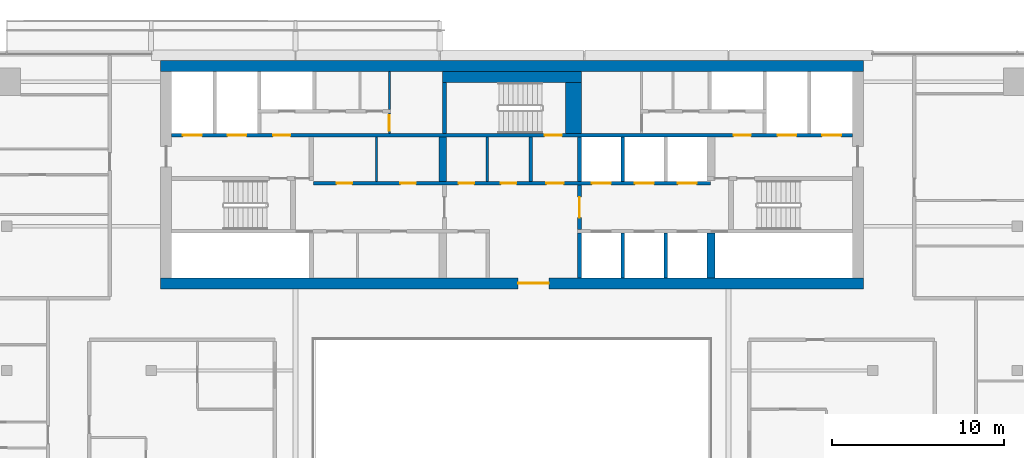
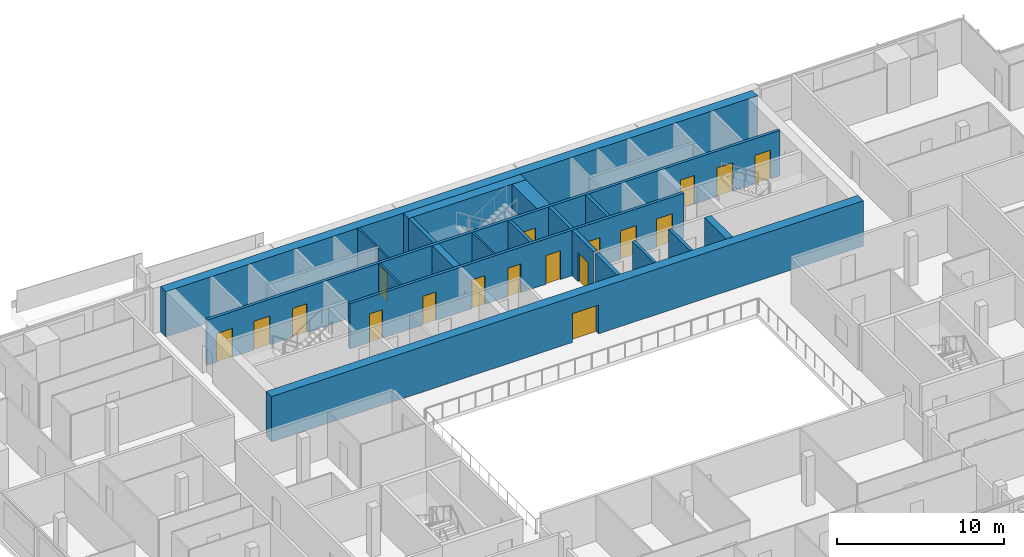
# One storey, part 21 of 27: 20 walls, 18 doors, 18 openings.
"""IFC4 building model written with IfcOpenShell, lengths in metres."""

import ifcopenshell
import ifcopenshell.guid

model = None  # the IFC model being written
_history = None  # IfcOwnerHistory: only IFC2X3 demands one
_inside = {}  # id of a spatial element -> (the spatial element, [elements in it])
_under = {}  # id of a project, library or spatial element -> (it, [spatial elements below it])
_declared = {}  # id of a project -> (the project, [libraries it declares])
_typed = {}  # id of a type object -> (the type object, [elements of that type])
_made_of = {}  # id of a material, layer set ... -> (it, [elements and type objects made of it])


def new_model(schema):
    """Start an empty IFC model of exactly this schema.

    Asked for "IFC4X3", IfcOpenShell would pick the latest addendum, in which some entities
    have other attributes; the version numbers below select the first issue.
    IFC2X3 requires an IfcOwnerHistory on every rooted entity: one is made here for all.
    """
    global model, _history
    if schema == "IFC4X3":
        model = ifcopenshell.file(schema_version=(4, 3, 0, 0))
    else:
        model = ifcopenshell.file(schema=schema)
    _inside.clear()
    _under.clear()
    _declared.clear()
    _typed.clear()
    _made_of.clear()
    _history = None
    if model.schema == "IFC2X3":
        org = make("IfcOrganization", Name="unknown")
        user = make(
            "IfcPersonAndOrganization",
            ThePerson=make("IfcPerson", FamilyName="unknown"),
            TheOrganization=org,
        )
        app = make(
            "IfcApplication",
            ApplicationDeveloper=org,
            Version="unknown",
            ApplicationFullName="unknown",
            ApplicationIdentifier="unknown",
        )
        _history = make(
            "IfcOwnerHistory",
            OwningUser=user,
            OwningApplication=app,
            ChangeAction="ADDED",
            CreationDate=0,
        )
    return model


def make(cls, **values):
    """One entity of the class cls with the attributes given. An attribute that is None is left unset."""
    return model.create_entity(
        cls, **{name: value for name, value in values.items() if value is not None}
    )


def rooted(cls, **values):
    """An entity with a GlobalId (a new one), such as an element, a storey or a relation."""
    return make(cls, GlobalId=ifcopenshell.guid.new(), OwnerHistory=_history, **values)


def si_unit(unit_type, name, prefix=None):
    """IfcSIUnit, for example si_unit("LENGTHUNIT", "METRE", prefix="MILLI")."""
    return make("IfcSIUnit", UnitType=unit_type, Prefix=prefix, Name=name)


def assignment(units):
    """IfcUnitAssignment: the units of a project."""
    return None if units is None else make("IfcUnitAssignment", Units=units)


def point(xyz):
    """IfcCartesianPoint."""
    return None if xyz is None else make("IfcCartesianPoint", Coordinates=xyz)


def direction(xyz):
    """IfcDirection."""
    return None if xyz is None else make("IfcDirection", DirectionRatios=xyz)


def frame(location, z_axis=None, x_axis=None):
    """IfcAxis2Placement3D, a coordinate frame: its origin and axes. An axis left out is left unset."""
    return make(
        "IfcAxis2Placement3D",
        Location=point(location),
        Axis=direction(z_axis),
        RefDirection=direction(x_axis),
    )


def frame_2d(location, x_axis=None):
    """IfcAxis2Placement2D, a coordinate frame in the plane: its origin and x axis."""
    return make(
        "IfcAxis2Placement2D", Location=point(location), RefDirection=direction(x_axis)
    )


def origin():
    """The frame at (0, 0, 0) with its axes left unset."""
    return frame((0.0, 0.0, 0.0))


def place(relative_to, where):
    """IfcLocalPlacement: puts the frame where relative to a parent placement (None: the world)."""
    return make(
        "IfcLocalPlacement", PlacementRelTo=relative_to, RelativePlacement=where
    )


def context(
    kind, dimensions, precision=None, world=None, true_north=None, identifier=None
):
    """IfcGeometricRepresentationContext, for example the 3D "Model" context."""
    return make(
        "IfcGeometricRepresentationContext",
        ContextIdentifier=identifier,
        ContextType=kind,
        CoordinateSpaceDimension=dimensions,
        Precision=precision,
        WorldCoordinateSystem=world,
        TrueNorth=true_north,
    )


def subcontext(parent, identifier, kind, view, scale=None):
    """IfcGeometricRepresentationSubContext, for example "Body" below "Model"."""
    return make(
        "IfcGeometricRepresentationSubContext",
        ContextIdentifier=identifier,
        ContextType=kind,
        ParentContext=parent,
        TargetScale=scale,
        TargetView=view,
    )


def project(units=None, contexts=None):
    """IfcProject with its units and contexts."""
    return rooted(
        "IfcProject",
        Name="project",
        RepresentationContexts=contexts,
        UnitsInContext=assignment(units),
    )


def spatial(cls, under=None, at=None, **own):
    """A site, building, storey or space (cls), placed at a placement, below another one or the project."""
    s = rooted(cls, ObjectPlacement=at, **own)
    if under is not None:
        _under.setdefault(under.id(), (under, []))[1].append(s)
    return s


def profile(cls, at=None, kind="AREA", **sizes):
    """A parametric profile (cls). Its sizes go by their IFC names, for example OverallWidth=200.0."""
    return make(cls, ProfileType=kind, Position=at, **sizes)


def rectangle(**sizes):
    """IfcRectangleProfileDef."""
    return profile("IfcRectangleProfileDef", **sizes)


def extrude(swept, where, along, depth):
    """IfcExtrudedAreaSolid: the profile swept, set in the frame where, extruded along a direction by depth."""
    return make(
        "IfcExtrudedAreaSolid",
        SweptArea=swept,
        Position=where,
        ExtrudedDirection=direction(along),
        Depth=depth,
    )


def shape(context_of_items, identifier, shape_type, items):
    """IfcShapeRepresentation: the items that make up one representation, for example the "Body"."""
    return make(
        "IfcShapeRepresentation",
        ContextOfItems=context_of_items,
        RepresentationIdentifier=identifier,
        RepresentationType=shape_type,
        Items=items,
    )


def material(Name=None, Category=None):
    """IfcMaterial."""
    return make("IfcMaterial", Name=Name, Category=Category)


def layer(
    of_material, thickness, ventilated=None, Name=None, Category=None, Priority=None
):
    """IfcMaterialLayer: one layer of a wall or slab, of a material (None: an air gap)."""
    return make(
        "IfcMaterialLayer",
        Material=of_material,
        LayerThickness=thickness,
        IsVentilated=ventilated,
        Name=Name,
        Category=Category,
        Priority=Priority,
    )


def layer_set(layers, Name=None):
    """IfcMaterialLayerSet."""
    return make("IfcMaterialLayerSet", MaterialLayers=layers, LayerSetName=Name)


def made_of(thing, what):
    """Note that an element or type object is made of a material, layer set ...; save() writes the relation."""
    if what is not None:
        _made_of.setdefault(what.id(), (what, []))[1].append(thing)
    return thing


def type_object(cls, material=None, **own):
    """A type object (cls), such as IfcWallType, which elements share."""
    return made_of(rooted(cls, **own), material)


def element(
    cls,
    number,
    at=None,
    inside=None,
    cuts=None,
    type_object=None,
    material=None,
    context=None,
    identifier="Body",
    shape_type=None,
    held_by="IfcProductDefinitionShape",
    body=None,
    shapes=None,
    **own,
):
    """One element of the class cls, such as IfcWall. Its Tag is "e" and its number.

    at: its placement. inside: the storey or other place that contains it. cuts: it is an
    opening in that element (IfcRelVoidsElement). A single representation is given by context,
    identifier, shape_type and body (its items); several are given by shapes. held_by: the class
    of the entity that holds the representations. save() writes the other relations.
    """
    e = rooted(cls, Tag="e%d" % number, ObjectPlacement=at, **own)
    if body is not None:
        shapes = [shape(context, identifier, shape_type, body)]
    if shapes is not None:
        e.Representation = make(held_by, Representations=shapes)
    if inside is not None:
        _inside.setdefault(inside.id(), (inside, []))[1].append(e)
    if cuts is not None:
        rooted(
            "IfcRelVoidsElement", RelatingBuildingElement=cuts, RelatedOpeningElement=e
        )
    if type_object is not None:
        _typed.setdefault(type_object.id(), (type_object, []))[1].append(e)
    return made_of(e, material)


def fill(opening, filler):
    """IfcRelFillsElement: the door or window that sits in an opening."""
    return rooted(
        "IfcRelFillsElement",
        RelatingOpeningElement=opening,
        RelatedBuildingElement=filler,
    )


def aggregate(whole, parts):
    """IfcRelAggregates: a whole, such as a stair, and the parts it consists of."""
    return rooted("IfcRelAggregates", RelatingObject=whole, RelatedObjects=parts)


def save(model, path):
    """Write the relations noted so far, then the file.

    IfcRelAggregates (storeys below a building ...), IfcRelContainedInSpatialStructure (elements
    in a storey), IfcRelDefinesByType, IfcRelAssociatesMaterial and IfcRelDeclares: one each for
    every whole, place, type object, material and project.
    """
    for whole, parts in _under.values():
        aggregate(whole, parts)
    for where, things in _inside.values():
        rooted(
            "IfcRelContainedInSpatialStructure",
            RelatedElements=things,
            RelatingStructure=where,
        )
    for kind, things in _typed.values():
        rooted("IfcRelDefinesByType", RelatedObjects=things, RelatingType=kind)
    for what, things in _made_of.values():
        rooted("IfcRelAssociatesMaterial", RelatedObjects=things, RelatingMaterial=what)
    for by, libraries in _declared.values():
        rooted("IfcRelDeclares", RelatingContext=by, RelatedDefinitions=libraries)
    model.write(path)


model = new_model("IFC4")

# Units and contexts
model_context = context("Model", 3, precision=1e-05, world=origin(), true_north=direction((0.0, 1.0)))
body_context = subcontext(model_context, "Body", "Model", "MODEL_VIEW")
ifc_project = project(units=[si_unit("LENGTHUNIT", "METRE"), si_unit("AREAUNIT", "SQUARE_METRE"), si_unit("VOLUMEUNIT", "CUBIC_METRE"), si_unit("PLANEANGLEUNIT", "RADIAN"), si_unit("MASSUNIT", "GRAM", prefix="KILO")], contexts=[model_context])

# Site, building, storey
site_placement = place(None, origin())
site = spatial("IfcSite", under=ifc_project, at=site_placement, CompositionType="ELEMENT")
building_placement = place(site_placement, origin())
building = spatial("IfcBuilding", under=site, at=building_placement, Name="Saffron Gate Tower", CompositionType="ELEMENT")
storey_placement = place(building_placement, frame((0.0, 0.0, 234.300048828125)))
storey = spatial("IfcBuildingStorey", under=building, at=storey_placement, Name="L57", CompositionType="ELEMENT", Elevation=234.300048828125)

# Walls
ifc_material_1 = material(Name="Gypsum board partition on steel studs", Category="steel")
ifc_layer_1 = layer(ifc_material_1, 0.199951171875)
ifc_layer_set_1 = layer_set([ifc_layer_1], Name="CW10 Core partition 200")
wall_type_1 = type_object("IfcWallType", Name="CW10 Core partition 200", PredefinedType="PARTITIONING", material=ifc_layer_set_1)
wall_1_placement = place(storey_placement, frame((88.699951171875, 68.0, 0.0), z_axis=(0.0, 0.0, 1.0), x_axis=(0.0, 1.0, 0.0)))
element("IfcWall", 1, at=wall_1_placement, inside=storey, type_object=wall_type_1, Name="Wall CW10-L57-23", PredefinedType="PARTITIONING", context=body_context, shape_type="SweptSolid", body=[
    extrude(rectangle(XDim=2.60009765625, YDim=0.199951171875, at=frame_2d((1.300048828125, 0.0))), origin(), (0.0, 0.0, 1.0), 3.320068359375),
])
ifc_material_2 = material(Name="Concrete C60", Category="concrete")
ifc_layer_2 = layer(ifc_material_2, 0.25)
ifc_layer_set_2 = layer_set([ifc_layer_2], Name="CW14 RC core wall 250 C60")
wall_type_2 = type_object("IfcWallType", Name="CW14 RC core wall 250 C60", PredefinedType="SOLIDWALL", material=ifc_layer_set_2)
wall_2_placement = place(storey_placement, frame((91.52490234375, 62.39990234375, 0.0), z_axis=(0.0, 0.0, 1.0), x_axis=(0.0, 1.0, 0.0)))
element("IfcWall", 2, at=wall_2_placement, inside=storey, type_object=wall_type_2, Name="Wall CW14-L57-9", PredefinedType="SOLIDWALL", context=body_context, shape_type="SweptSolid", body=[
    extrude(rectangle(XDim=2.60009765625, YDim=0.25, at=frame_2d((1.300048828125, 0.0))), origin(), (0.0, 0.0, 1.0), 3.320068359375),
])

# Wall, opening, door
wall_3_placement = place(storey_placement, frame((91.52490234375, 65.199951171875, 0.0), z_axis=(0.0, 0.0, 1.0), x_axis=(0.0, 1.0, 0.0)))
wall_3 = element("IfcWall", 3, at=wall_3_placement, inside=storey, type_object=wall_type_2, Name="Wall CW14-L57-17", PredefinedType="SOLIDWALL", context=body_context, shape_type="SweptSolid", body=[
    extrude(rectangle(XDim=2.60009765625, YDim=0.25, at=frame_2d((1.300048828125, 0.0))), origin(), (0.0, 0.0, 1.0), 3.320068359375),
])
opening_1_placement = place(wall_3_placement, frame((0.699951171875, 0.0, 0.0)))
opening_1 = element("IfcOpeningElement", 4, at=opening_1_placement, cuts=wall_3, Name="Opening CR-01", PredefinedType="OPENING", context=body_context, shape_type="SweptSolid", body=[
    extrude(rectangle(XDim=1.199951171875, YDim=2.10009765625, at=frame_2d((0.60009765625, 1.050048828125))), frame((0.0, 0.135009765625, 0.0), z_axis=(0.0, -1.0, 0.0), x_axis=(1.0, 0.0, 0.0)), (0.0, 0.0, 1.0), 0.27001953125),
])
ifc_material_3 = material(Name="Steel fire door set", Category="steel")
door_type_1 = type_object("IfcDoorType", Name="CD3 Lobby door 1200x2100 EI 120", OperationType="NOTDEFINED", PredefinedType="DOOR", material=ifc_material_3)
door_1_placement = place(opening_1_placement, origin())
door_1 = element("IfcDoor", 5, at=door_1_placement, inside=storey, type_object=door_type_1, Name="DOOR CR-01", OperationType="SINGLE_SWING_RIGHT", OverallHeight=2.10009765625, OverallWidth=1.199951171875, PredefinedType="DOOR", context=body_context, shape_type="SweptSolid", body=[
    extrude(rectangle(XDim=1.199951171875, YDim=2.10009765625, at=frame_2d((0.60009765625, 1.050048828125))), frame((0.0, 0.02490234375, 0.0), z_axis=(0.0, -1.0, 0.0), x_axis=(1.0, 0.0, 0.0)), (0.0, 0.0, 1.0), 0.050048828125),
])
fill(opening_1, door_1)

# Walls
wall_4_placement = place(storey_placement, frame((91.52490234375, 68.0, 0.0), z_axis=(0.0, 0.0, 1.0), x_axis=(0.0, 1.0, 0.0)))
element("IfcWall", 6, at=wall_4_placement, inside=storey, type_object=wall_type_2, Name="Wall CW14-L57-24", PredefinedType="SOLIDWALL", context=body_context, shape_type="SweptSolid", body=[
    extrude(rectangle(XDim=2.60009765625, YDim=0.25, at=frame_2d((1.300048828125, 0.0))), origin(), (0.0, 0.0, 1.0), 3.320068359375),
])
wall_5_placement = place(storey_placement, frame((83.675048828125, 70.800048828125, 0.0), z_axis=(0.0, 0.0, 1.0), x_axis=(0.0, 1.0, 0.0)))
element("IfcWall", 7, at=wall_5_placement, inside=storey, type_object=wall_type_2, Name="Wall CW14-L57-36", PredefinedType="SOLIDWALL", context=body_context, shape_type="SweptSolid", body=[
    extrude(rectangle(XDim=2.949951171875, YDim=0.25, at=frame_2d((1.47509765625, 0.0))), origin(), (0.0, 0.0, 1.0), 3.320068359375),
])
ifc_layer_3 = layer(ifc_material_2, 0.199951171875)
ifc_layer_set_3 = layer_set([ifc_layer_3], Name="CW15 RC core wall 200 C60")
wall_type_3 = type_object("IfcWallType", Name="CW15 RC core wall 200 C60", PredefinedType="SOLIDWALL", material=ifc_layer_set_3)
for number, where, z_axis, x_axis, name in (
    (8, (94.050048828125, 62.39990234375, 0.0), (0.0, 0.0, 1.0), (0.0, 1.0, 0.0), "Wall CW15-L57-10"),
    (9, (96.550048828125, 62.39990234375, 0.0), (0.0, 0.0, 1.0), (0.0, 1.0, 0.0), "Wall CW15-L57-11"),
):
    element("IfcWall", number, at=place(storey_placement, frame(where, z_axis=z_axis, x_axis=x_axis)), inside=storey, type_object=wall_type_3, Name=name, PredefinedType="SOLIDWALL", context=body_context, shape_type="SweptSolid", body=[
        extrude(rectangle(XDim=2.60009765625, YDim=0.199951171875, at=frame_2d((1.300048828125, 0.0))), origin(), (0.0, 0.0, 1.0), 3.320068359375),
    ])

# Wall, openings, doors
wall_6_placement = place(storey_placement, frame((76.050048828125, 67.89990234375, 0.0), z_axis=(0.0, 0.0, 1.0), x_axis=(1.0, 0.0, 0.0)))
wall_6 = element("IfcWall", 10, at=wall_6_placement, inside=storey, type_object=wall_type_3, Name="Wall CW15-L57-19", PredefinedType="SOLIDWALL", context=body_context, shape_type="SweptSolid", body=[
    extrude(rectangle(XDim=23.099853515625, YDim=0.199951171875, at=frame_2d((11.5498046875, 0.0))), origin(), (0.0, 0.0, 1.0), 3.320068359375),
])
opening_2_placement = place(wall_6_placement, frame((1.35009765625, 0.0, 0.0)))
opening_2 = element("IfcOpeningElement", 11, at=opening_2_placement, cuts=wall_6, Name="Opening CR-61", PredefinedType="OPENING", context=body_context, shape_type="SweptSolid", body=[
    extrude(rectangle(XDim=0.89990234375, YDim=2.10009765625, at=frame_2d((0.449951171875, 1.050048828125))), frame((0.0, 0.10986328125, 0.0), z_axis=(0.0, -1.0, 0.0), x_axis=(1.0, 0.0, 0.0)), (0.0, 0.0, 1.0), 0.219970703125),
])
opening_3_placement = place(wall_6_placement, frame((5.06005859375, 0.0, 0.0)))
opening_3 = element("IfcOpeningElement", 12, at=opening_3_placement, cuts=wall_6, Name="Opening CR-62", PredefinedType="OPENING", context=body_context, shape_type="SweptSolid", body=[
    extrude(rectangle(XDim=0.89990234375, YDim=2.10009765625, at=frame_2d((0.449951171875, 1.050048828125))), frame((0.0, 0.10986328125, 0.0), z_axis=(0.0, -1.0, 0.0), x_axis=(1.0, 0.0, 0.0)), (0.0, 0.0, 1.0), 0.219970703125),
])
opening_4_placement = place(wall_6_placement, frame((8.449951171875, 0.0, 0.0)))
opening_4 = element("IfcOpeningElement", 13, at=opening_4_placement, cuts=wall_6, Name="Opening CR-67", PredefinedType="OPENING", context=body_context, shape_type="SweptSolid", body=[
    extrude(rectangle(XDim=0.89990234375, YDim=2.10009765625, at=frame_2d((0.449951171875, 1.050048828125))), frame((0.0, 0.10986328125, 0.0), z_axis=(0.0, -1.0, 0.0), x_axis=(1.0, 0.0, 0.0)), (0.0, 0.0, 1.0), 0.219970703125),
])
opening_5_placement = place(wall_6_placement, frame((10.909912109375, 0.0, 0.0)))
opening_5 = element("IfcOpeningElement", 14, at=opening_5_placement, cuts=wall_6, Name="Opening CR-68", PredefinedType="OPENING", context=body_context, shape_type="SweptSolid", body=[
    extrude(rectangle(XDim=0.89990234375, YDim=2.10009765625, at=frame_2d((0.449951171875, 1.050048828125))), frame((0.0, 0.10986328125, 0.0), z_axis=(0.0, -1.0, 0.0), x_axis=(1.0, 0.0, 0.0)), (0.0, 0.0, 1.0), 0.219970703125),
])
opening_6_placement = place(wall_6_placement, frame((13.550048828125, 0.0, 0.0)))
opening_6 = element("IfcOpeningElement", 15, at=opening_6_placement, cuts=wall_6, Name="Opening CR-02", PredefinedType="OPENING", context=body_context, shape_type="SweptSolid", body=[
    extrude(rectangle(XDim=1.0, YDim=2.10009765625, at=frame_2d((0.5, 1.050048828125))), frame((0.0, 0.10986328125, 0.0), z_axis=(0.0, -1.0, 0.0), x_axis=(1.0, 0.0, 0.0)), (0.0, 0.0, 1.0), 0.219970703125),
])
opening_7_placement = place(wall_6_placement, frame((16.199951171875, 0.0, 0.0)))
opening_7 = element("IfcOpeningElement", 16, at=opening_7_placement, cuts=wall_6, Name="Opening LD-HR4", PredefinedType="OPENING", context=body_context, shape_type="SweptSolid", body=[
    extrude(rectangle(XDim=1.10009765625, YDim=2.10009765625, at=frame_2d((0.550048828125, 1.050048828125))), frame((0.0, 0.10986328125, 0.0), z_axis=(0.0, -1.0, 0.0), x_axis=(1.0, 0.0, 0.0)), (0.0, 0.0, 1.0), 0.219970703125),
])
opening_8_placement = place(wall_6_placement, frame((18.699951171875, 0.0, 0.0)))
opening_8 = element("IfcOpeningElement", 17, at=opening_8_placement, cuts=wall_6, Name="Opening LD-HR5", PredefinedType="OPENING", context=body_context, shape_type="SweptSolid", body=[
    extrude(rectangle(XDim=1.10009765625, YDim=2.10009765625, at=frame_2d((0.550048828125, 1.050048828125))), frame((0.0, 0.10986328125, 0.0), z_axis=(0.0, -1.0, 0.0), x_axis=(1.0, 0.0, 0.0)), (0.0, 0.0, 1.0), 0.219970703125),
])
opening_9_placement = place(wall_6_placement, frame((21.199951171875, 0.0, 0.0)))
opening_9 = element("IfcOpeningElement", 18, at=opening_9_placement, cuts=wall_6, Name="Opening LD-HR6", PredefinedType="OPENING", context=body_context, shape_type="SweptSolid", body=[
    extrude(rectangle(XDim=1.10009765625, YDim=2.10009765625, at=frame_2d((0.550048828125, 1.050048828125))), frame((0.0, 0.10986328125, 0.0), z_axis=(0.0, -1.0, 0.0), x_axis=(1.0, 0.0, 0.0)), (0.0, 0.0, 1.0), 0.219970703125),
])
door_type_2 = type_object("IfcDoorType", Name="CD4 Lobby door 1000x2100 EI 120", OperationType="NOTDEFINED", PredefinedType="DOOR", material=ifc_material_3)
door_2_placement = place(opening_6_placement, origin())
door_2 = element("IfcDoor", 19, at=door_2_placement, inside=storey, type_object=door_type_2, Name="DOOR CR-02", OperationType="SINGLE_SWING_LEFT", OverallHeight=2.10009765625, OverallWidth=1.0, PredefinedType="DOOR", context=body_context, shape_type="SweptSolid", body=[
    extrude(rectangle(XDim=1.0, YDim=2.10009765625, at=frame_2d((0.5, 1.050048828125))), frame((0.0, 0.02490234375, 0.0), z_axis=(0.0, -1.0, 0.0), x_axis=(1.0, 0.0, 0.0)), (0.0, 0.0, 1.0), 0.050048828125),
])
fill(opening_6, door_2)
door_type_3 = type_object("IfcDoorType", Name="CD9 Room door 900x2100 EI 60", OperationType="NOTDEFINED", PredefinedType="DOOR", material=ifc_material_3)
door_3_placement = place(opening_2_placement, origin())
door_3 = element("IfcDoor", 20, at=door_3_placement, inside=storey, type_object=door_type_3, Name="DOOR CR-61", OperationType="SINGLE_SWING_LEFT", OverallHeight=2.10009765625, OverallWidth=0.89990234375, PredefinedType="DOOR", context=body_context, shape_type="SweptSolid", body=[
    extrude(rectangle(XDim=0.89990234375, YDim=2.10009765625, at=frame_2d((0.449951171875, 1.050048828125))), frame((0.0, 0.02490234375, 0.0), z_axis=(0.0, -1.0, 0.0), x_axis=(1.0, 0.0, 0.0)), (0.0, 0.0, 1.0), 0.050048828125),
])
fill(opening_2, door_3)
door_4_placement = place(opening_3_placement, origin())
door_4 = element("IfcDoor", 21, at=door_4_placement, inside=storey, type_object=door_type_3, Name="DOOR CR-62", OperationType="SINGLE_SWING_LEFT", OverallHeight=2.10009765625, OverallWidth=0.89990234375, PredefinedType="DOOR", context=body_context, shape_type="SweptSolid", body=[
    extrude(rectangle(XDim=0.89990234375, YDim=2.10009765625, at=frame_2d((0.449951171875, 1.050048828125))), frame((0.0, 0.02490234375, 0.0), z_axis=(0.0, -1.0, 0.0), x_axis=(1.0, 0.0, 0.0)), (0.0, 0.0, 1.0), 0.050048828125),
])
fill(opening_3, door_4)
door_5_placement = place(opening_4_placement, origin())
door_5 = element("IfcDoor", 22, at=door_5_placement, inside=storey, type_object=door_type_3, Name="DOOR CR-67", OperationType="SINGLE_SWING_LEFT", OverallHeight=2.10009765625, OverallWidth=0.89990234375, PredefinedType="DOOR", context=body_context, shape_type="SweptSolid", body=[
    extrude(rectangle(XDim=0.89990234375, YDim=2.10009765625, at=frame_2d((0.449951171875, 1.050048828125))), frame((0.0, 0.02490234375, 0.0), z_axis=(0.0, -1.0, 0.0), x_axis=(1.0, 0.0, 0.0)), (0.0, 0.0, 1.0), 0.050048828125),
])
fill(opening_4, door_5)
door_6_placement = place(opening_5_placement, origin())
door_6 = element("IfcDoor", 23, at=door_6_placement, inside=storey, type_object=door_type_3, Name="DOOR CR-68", OperationType="SINGLE_SWING_LEFT", OverallHeight=2.10009765625, OverallWidth=0.89990234375, PredefinedType="DOOR", context=body_context, shape_type="SweptSolid", body=[
    extrude(rectangle(XDim=0.89990234375, YDim=2.10009765625, at=frame_2d((0.449951171875, 1.050048828125))), frame((0.0, 0.02490234375, 0.0), z_axis=(0.0, -1.0, 0.0), x_axis=(1.0, 0.0, 0.0)), (0.0, 0.0, 1.0), 0.050048828125),
])
fill(opening_5, door_6)
ifc_material_4 = material(Name="Stainless steel landing door", Category="steel")
door_type_4 = type_object("IfcDoorType", Name="LD Lift landing door 1100x2100 EI 120", OperationType="SLIDING_TO_LEFT", PredefinedType="DOOR", material=ifc_material_4)
door_7_placement = place(opening_7_placement, origin())
door_7 = element("IfcDoor", 24, at=door_7_placement, inside=storey, type_object=door_type_4, Name="LANDING DOOR LD-HR4", OperationType="SLIDING_TO_RIGHT", OverallHeight=2.10009765625, OverallWidth=1.10009765625, PredefinedType="DOOR", context=body_context, shape_type="SweptSolid", body=[
    extrude(rectangle(XDim=1.10009765625, YDim=2.10009765625, at=frame_2d((0.550048828125, 1.050048828125))), frame((0.0, 0.02490234375, 0.0), z_axis=(0.0, -1.0, 0.0), x_axis=(1.0, 0.0, 0.0)), (0.0, 0.0, 1.0), 0.050048828125),
])
fill(opening_7, door_7)
door_8_placement = place(opening_8_placement, origin())
door_8 = element("IfcDoor", 25, at=door_8_placement, inside=storey, type_object=door_type_4, Name="LANDING DOOR LD-HR5", OperationType="SLIDING_TO_RIGHT", OverallHeight=2.10009765625, OverallWidth=1.10009765625, PredefinedType="DOOR", context=body_context, shape_type="SweptSolid", body=[
    extrude(rectangle(XDim=1.10009765625, YDim=2.10009765625, at=frame_2d((0.550048828125, 1.050048828125))), frame((0.0, 0.02490234375, 0.0), z_axis=(0.0, -1.0, 0.0), x_axis=(1.0, 0.0, 0.0)), (0.0, 0.0, 1.0), 0.050048828125),
])
fill(opening_8, door_8)
door_9_placement = place(opening_9_placement, origin())
door_9 = element("IfcDoor", 26, at=door_9_placement, inside=storey, type_object=door_type_4, Name="LANDING DOOR LD-HR6", OperationType="SLIDING_TO_RIGHT", OverallHeight=2.10009765625, OverallWidth=1.10009765625, PredefinedType="DOOR", context=body_context, shape_type="SweptSolid", body=[
    extrude(rectangle(XDim=1.10009765625, YDim=2.10009765625, at=frame_2d((0.550048828125, 1.050048828125))), frame((0.0, 0.02490234375, 0.0), z_axis=(0.0, -1.0, 0.0), x_axis=(1.0, 0.0, 0.0)), (0.0, 0.0, 1.0), 0.050048828125),
])
fill(opening_9, door_9)

# Wall
wall_7_placement = place(storey_placement, frame((94.050048828125, 68.0, 0.0), z_axis=(0.0, 0.0, 1.0), x_axis=(0.0, 1.0, 0.0)))
element("IfcWall", 27, at=wall_7_placement, inside=storey, type_object=wall_type_3, Name="Wall CW15-L57-25", PredefinedType="SOLIDWALL", context=body_context, shape_type="SweptSolid", body=[
    extrude(rectangle(XDim=2.60009765625, YDim=0.199951171875, at=frame_2d((1.300048828125, 0.0))), origin(), (0.0, 0.0, 1.0), 3.320068359375),
])

# Wall, openings, doors
wall_8_placement = place(storey_placement, frame((67.800048828125, 70.699951171875, 0.0), z_axis=(0.0, 0.0, 1.0), x_axis=(1.0, 0.0, 0.0)))
wall_8 = element("IfcWall", 28, at=wall_8_placement, inside=storey, type_object=wall_type_3, Name="Wall CW15-L57-32", PredefinedType="SOLIDWALL", context=body_context, shape_type="SweptSolid", body=[
    extrude(rectangle(XDim=39.599853515625, YDim=0.199951171875, at=frame_2d((19.7998046875, 0.0))), origin(), (0.0, 0.0, 1.0), 3.320068359375),
])
opening_10_placement = place(wall_8_placement, frame((0.64990234375, 0.0, 0.0)))
opening_10 = element("IfcOpeningElement", 29, at=opening_10_placement, cuts=wall_8, Name="Opening LD-FF1", PredefinedType="OPENING", context=body_context, shape_type="SweptSolid", body=[
    extrude(rectangle(XDim=1.10009765625, YDim=2.10009765625, at=frame_2d((0.550048828125, 1.050048828125))), frame((0.0, 0.10986328125, 0.0), z_axis=(0.0, -1.0, 0.0), x_axis=(1.0, 0.0, 0.0)), (0.0, 0.0, 1.0), 0.219970703125),
])
opening_11_placement = place(wall_8_placement, frame((3.25, 0.0, 0.0)))
opening_11 = element("IfcOpeningElement", 30, at=opening_11_placement, cuts=wall_8, Name="Opening LD-SV1", PredefinedType="OPENING", context=body_context, shape_type="SweptSolid", body=[
    extrude(rectangle(XDim=1.10009765625, YDim=2.10009765625, at=frame_2d((0.550048828125, 1.050048828125))), frame((0.0, 0.10986328125, 0.0), z_axis=(0.0, -1.0, 0.0), x_axis=(1.0, 0.0, 0.0)), (0.0, 0.0, 1.0), 0.219970703125),
])
opening_12_placement = place(wall_8_placement, frame((5.89990234375, 0.0, 0.0)))
opening_12 = element("IfcOpeningElement", 31, at=opening_12_placement, cuts=wall_8, Name="Opening CR-03", PredefinedType="OPENING", context=body_context, shape_type="SweptSolid", body=[
    extrude(rectangle(XDim=1.0, YDim=2.10009765625, at=frame_2d((0.5, 1.050048828125))), frame((0.0, 0.10986328125, 0.0), z_axis=(0.0, -1.0, 0.0), x_axis=(1.0, 0.0, 0.0)), (0.0, 0.0, 1.0), 0.219970703125),
])
opening_13_placement = place(wall_8_placement, frame((21.699951171875, 0.0, 0.0)))
opening_13 = element("IfcOpeningElement", 32, at=opening_13_placement, cuts=wall_8, Name="Opening CR-17", PredefinedType="OPENING", context=body_context, shape_type="SweptSolid", body=[
    extrude(rectangle(XDim=1.0, YDim=2.10009765625, at=frame_2d((0.5, 1.050048828125))), frame((0.0, 0.10986328125, 0.0), z_axis=(0.0, -1.0, 0.0), x_axis=(1.0, 0.0, 0.0)), (0.0, 0.0, 1.0), 0.219970703125),
])
opening_14_placement = place(wall_8_placement, frame((32.699951171875, 0.0, 0.0)))
opening_14 = element("IfcOpeningElement", 33, at=opening_14_placement, cuts=wall_8, Name="Opening CR-04", PredefinedType="OPENING", context=body_context, shape_type="SweptSolid", body=[
    extrude(rectangle(XDim=1.0, YDim=2.10009765625, at=frame_2d((0.5, 1.050048828125))), frame((0.0, 0.10986328125, 0.0), z_axis=(0.0, -1.0, 0.0), x_axis=(1.0, 0.0, 0.0)), (0.0, 0.0, 1.0), 0.219970703125),
])
opening_15_placement = place(wall_8_placement, frame((35.25, 0.0, 0.0)))
opening_15 = element("IfcOpeningElement", 34, at=opening_15_placement, cuts=wall_8, Name="Opening LD-SV2", PredefinedType="OPENING", context=body_context, shape_type="SweptSolid", body=[
    extrude(rectangle(XDim=1.10009765625, YDim=2.10009765625, at=frame_2d((0.550048828125, 1.050048828125))), frame((0.0, 0.10986328125, 0.0), z_axis=(0.0, -1.0, 0.0), x_axis=(1.0, 0.0, 0.0)), (0.0, 0.0, 1.0), 0.219970703125),
])
opening_16_placement = place(wall_8_placement, frame((37.85009765625, 0.0, 0.0)))
opening_16 = element("IfcOpeningElement", 35, at=opening_16_placement, cuts=wall_8, Name="Opening LD-FF2", PredefinedType="OPENING", context=body_context, shape_type="SweptSolid", body=[
    extrude(rectangle(XDim=1.10009765625, YDim=2.10009765625, at=frame_2d((0.550048828125, 1.050048828125))), frame((0.0, 0.10986328125, 0.0), z_axis=(0.0, -1.0, 0.0), x_axis=(1.0, 0.0, 0.0)), (0.0, 0.0, 1.0), 0.219970703125),
])
door_10_placement = place(opening_12_placement, origin())
door_10 = element("IfcDoor", 36, at=door_10_placement, inside=storey, type_object=door_type_2, Name="DOOR CR-03", OperationType="SINGLE_SWING_LEFT", OverallHeight=2.10009765625, OverallWidth=1.0, PredefinedType="DOOR", context=body_context, shape_type="SweptSolid", body=[
    extrude(rectangle(XDim=1.0, YDim=2.10009765625, at=frame_2d((0.5, 1.050048828125))), frame((0.0, 0.02490234375, 0.0), z_axis=(0.0, -1.0, 0.0), x_axis=(1.0, 0.0, 0.0)), (0.0, 0.0, 1.0), 0.050048828125),
])
fill(opening_12, door_10)
door_11_placement = place(opening_14_placement, origin())
door_11 = element("IfcDoor", 37, at=door_11_placement, inside=storey, type_object=door_type_2, Name="DOOR CR-04", OperationType="SINGLE_SWING_RIGHT", OverallHeight=2.10009765625, OverallWidth=1.0, PredefinedType="DOOR", context=body_context, shape_type="SweptSolid", body=[
    extrude(rectangle(XDim=1.0, YDim=2.10009765625, at=frame_2d((0.5, 1.050048828125))), frame((0.0, 0.02490234375, 0.0), z_axis=(0.0, -1.0, 0.0), x_axis=(1.0, 0.0, 0.0)), (0.0, 0.0, 1.0), 0.050048828125),
])
fill(opening_14, door_11)
door_type_5 = type_object("IfcDoorType", Name="CD5 Stair door 1000x2100 EI 120", OperationType="NOTDEFINED", PredefinedType="DOOR", material=ifc_material_3)
door_12_placement = place(opening_13_placement, origin())
door_12 = element("IfcDoor", 38, at=door_12_placement, inside=storey, type_object=door_type_5, Name="DOOR CR-17", OperationType="SINGLE_SWING_RIGHT", OverallHeight=2.10009765625, OverallWidth=1.0, PredefinedType="DOOR", context=body_context, shape_type="SweptSolid", body=[
    extrude(rectangle(XDim=1.0, YDim=2.10009765625, at=frame_2d((0.5, 1.050048828125))), frame((0.0, 0.02490234375, 0.0), z_axis=(0.0, -1.0, 0.0), x_axis=(1.0, 0.0, 0.0)), (0.0, 0.0, 1.0), 0.050048828125),
])
fill(opening_13, door_12)
door_13_placement = place(opening_10_placement, origin())
door_13 = element("IfcDoor", 39, at=door_13_placement, inside=storey, type_object=door_type_4, Name="LANDING DOOR LD-FF1", OperationType="SLIDING_TO_RIGHT", OverallHeight=2.10009765625, OverallWidth=1.10009765625, PredefinedType="DOOR", context=body_context, shape_type="SweptSolid", body=[
    extrude(rectangle(XDim=1.10009765625, YDim=2.10009765625, at=frame_2d((0.550048828125, 1.050048828125))), frame((0.0, 0.02490234375, 0.0), z_axis=(0.0, -1.0, 0.0), x_axis=(1.0, 0.0, 0.0)), (0.0, 0.0, 1.0), 0.050048828125),
])
fill(opening_10, door_13)
door_14_placement = place(opening_11_placement, origin())
door_14 = element("IfcDoor", 40, at=door_14_placement, inside=storey, type_object=door_type_4, Name="LANDING DOOR LD-SV1", OperationType="SLIDING_TO_RIGHT", OverallHeight=2.10009765625, OverallWidth=1.10009765625, PredefinedType="DOOR", context=body_context, shape_type="SweptSolid", body=[
    extrude(rectangle(XDim=1.10009765625, YDim=2.10009765625, at=frame_2d((0.550048828125, 1.050048828125))), frame((0.0, 0.02490234375, 0.0), z_axis=(0.0, -1.0, 0.0), x_axis=(1.0, 0.0, 0.0)), (0.0, 0.0, 1.0), 0.050048828125),
])
fill(opening_11, door_14)
door_15_placement = place(opening_15_placement, origin())
door_15 = element("IfcDoor", 41, at=door_15_placement, inside=storey, type_object=door_type_4, Name="LANDING DOOR LD-SV2", OperationType="SLIDING_TO_RIGHT", OverallHeight=2.10009765625, OverallWidth=1.10009765625, PredefinedType="DOOR", context=body_context, shape_type="SweptSolid", body=[
    extrude(rectangle(XDim=1.10009765625, YDim=2.10009765625, at=frame_2d((0.550048828125, 1.050048828125))), frame((0.0, 0.02490234375, 0.0), z_axis=(0.0, -1.0, 0.0), x_axis=(1.0, 0.0, 0.0)), (0.0, 0.0, 1.0), 0.050048828125),
])
fill(opening_15, door_15)
door_16_placement = place(opening_16_placement, origin())
door_16 = element("IfcDoor", 42, at=door_16_placement, inside=storey, type_object=door_type_4, Name="LANDING DOOR LD-FF2", OperationType="SLIDING_TO_RIGHT", OverallHeight=2.10009765625, OverallWidth=1.10009765625, PredefinedType="DOOR", context=body_context, shape_type="SweptSolid", body=[
    extrude(rectangle(XDim=1.10009765625, YDim=2.10009765625, at=frame_2d((0.550048828125, 1.050048828125))), frame((0.0, 0.02490234375, 0.0), z_axis=(0.0, -1.0, 0.0), x_axis=(1.0, 0.0, 0.0)), (0.0, 0.0, 1.0), 0.050048828125),
])
fill(opening_16, door_16)

# Walls
ifc_layer_4 = layer(ifc_material_2, 0.449951171875)
ifc_layer_set_4 = layer_set([ifc_layer_4], Name="CW16 RC core wall 450 C60")
wall_type_4 = type_object("IfcWallType", Name="CW16 RC core wall 450 C60", PredefinedType="SOLIDWALL", material=ifc_layer_set_4)
for number, where, z_axis, x_axis, name in (
    (43, (99.175048828125, 62.39990234375, 0.0), (0.0, 0.0, 1.0), (0.0, 1.0, 0.0), "Wall CW16-L57-12"),
    (44, (83.574951171875, 68.0, 0.0), (0.0, 0.0, 1.0), (0.0, 1.0, 0.0), "Wall CW16-L57-21"),
):
    element("IfcWall", number, at=place(storey_placement, frame(where, z_axis=z_axis, x_axis=x_axis)), inside=storey, type_object=wall_type_4, Name=name, PredefinedType="SOLIDWALL", context=body_context, shape_type="SweptSolid", body=[
        extrude(rectangle(XDim=2.60009765625, YDim=0.449951171875, at=frame_2d((1.300048828125, 0.0))), origin(), (0.0, 0.0, 1.0), 3.320068359375),
    ])
ifc_layer_5 = layer(ifc_material_2, 0.949951171875)
ifc_layer_set_5 = layer_set([ifc_layer_5], Name="CW19 RC core wall 950 C60")
wall_type_5 = type_object("IfcWallType", Name="CW19 RC core wall 950 C60", PredefinedType="SOLIDWALL", material=ifc_layer_set_5)
wall_9_placement = place(storey_placement, frame((91.175048828125, 70.800048828125, 0.0), z_axis=(0.0, 0.0, 1.0), x_axis=(0.0, 1.0, 0.0)))
element("IfcWall", 45, at=wall_9_placement, inside=storey, type_object=wall_type_5, Name="Wall CW19-L57-37", PredefinedType="SOLIDWALL", context=body_context, shape_type="SweptSolid", body=[
    extrude(rectangle(XDim=2.949951171875, YDim=0.949951171875, at=frame_2d((1.47509765625, 0.0))), origin(), (0.0, 0.0, 1.0), 3.320068359375),
])

# Wall, opening, door
ifc_layer_6 = layer(ifc_material_2, 0.64990234375)
ifc_layer_set_6 = layer_set([ifc_layer_6], Name="CW20 RC core wall 650 C60")
wall_type_6 = type_object("IfcWallType", Name="CW20 RC core wall 650 C60", PredefinedType="SOLIDWALL", material=ifc_layer_set_6)
wall_10_placement = place(storey_placement, frame((67.14990234375, 62.074951171875, 0.0), z_axis=(0.0, 0.0, 1.0), x_axis=(1.0, 0.0, 0.0)))
wall_10 = element("IfcWall", 46, at=wall_10_placement, inside=storey, type_object=wall_type_6, Name="Wall CW20-L57-1", PredefinedType="SOLIDWALL", context=body_context, shape_type="SweptSolid", body=[
    extrude(rectangle(XDim=40.900146484375, YDim=0.64990234375, at=frame_2d((20.4501953125, 0.0))), origin(), (0.0, 0.0, 1.0), 3.320068359375),
])
opening_17_placement = place(wall_10_placement, frame((20.800048828125, 0.0, 0.0)))
opening_17 = element("IfcOpeningElement", 47, at=opening_17_placement, cuts=wall_10, Name="Opening CR-09", PredefinedType="OPENING", context=body_context, shape_type="SweptSolid", body=[
    extrude(rectangle(XDim=1.800048828125, YDim=2.10009765625, at=frame_2d((0.89990234375, 1.050048828125))), frame((0.0, 0.3349609375, 0.0), z_axis=(0.0, -1.0, 0.0), x_axis=(1.0, 0.0, 0.0)), (0.0, 0.0, 1.0), 0.669921875),
])
door_type_6 = type_object("IfcDoorType", Name="CD1 Core entrance door 1800x2100 EI 120", OperationType="NOTDEFINED", PredefinedType="DOOR", material=ifc_material_3)
door_17_placement = place(opening_17_placement, origin())
door_17 = element("IfcDoor", 48, at=door_17_placement, inside=storey, type_object=door_type_6, Name="DOOR CR-09", OperationType="DOUBLE_DOOR_SINGLE_SWING", OverallHeight=2.10009765625, OverallWidth=1.800048828125, PredefinedType="DOOR", context=body_context, shape_type="SweptSolid", body=[
    extrude(rectangle(XDim=1.800048828125, YDim=2.10009765625, at=frame_2d((0.89990234375, 1.050048828125))), frame((0.0, 0.02490234375, 0.0), z_axis=(0.0, -1.0, 0.0), x_axis=(1.0, 0.0, 0.0)), (0.0, 0.0, 1.0), 0.050048828125),
])
fill(opening_17, door_17)

# Walls
wall_11_placement = place(storey_placement, frame((67.14990234375, 74.72509765625, 0.0), z_axis=(0.0, 0.0, 1.0), x_axis=(1.0, 0.0, 0.0)))
element("IfcWall", 49, at=wall_11_placement, inside=storey, type_object=wall_type_6, Name="Wall CW20-L57-2", PredefinedType="SOLIDWALL", context=body_context, shape_type="SweptSolid", body=[
    extrude(rectangle(XDim=40.900146484375, YDim=0.64990234375, at=frame_2d((20.4501953125, 0.0))), origin(), (0.0, 0.0, 1.0), 3.320068359375),
])
wall_12_placement = place(storey_placement, frame((83.550048828125, 74.074951171875, 0.0), z_axis=(0.0, 0.0, 1.0), x_axis=(1.0, 0.0, 0.0)))
element("IfcWall", 50, at=wall_12_placement, inside=storey, type_object=wall_type_6, Name="Wall CW20-L57-51", PredefinedType="SOLIDWALL", context=body_context, shape_type="SweptSolid", body=[
    extrude(rectangle(XDim=8.099853515625, YDim=0.64990234375, at=frame_2d((4.0498046875, 0.0))), origin(), (0.0, 0.0, 1.0), 3.320068359375),
])
ifc_layer_7 = layer(ifc_material_1, 0.1201171875)
ifc_layer_set_7 = layer_set([ifc_layer_7], Name="CW8 Core partition 120")
wall_type_7 = type_object("IfcWallType", Name="CW8 Core partition 120", PredefinedType="PARTITIONING", material=ifc_layer_set_7)
for number, where, z_axis, x_axis, name in (
    (51, (79.7099609375, 68.0, 0.0), (0.0, 0.0, 1.0), (0.0, 1.0, 0.0), "Wall CW8-L57-20"),
    (52, (86.159912109375, 68.0, 0.0), (0.0, 0.0, 1.0), (0.0, 1.0, 0.0), "Wall CW8-L57-22"),
):
    element("IfcWall", number, at=place(storey_placement, frame(where, z_axis=z_axis, x_axis=x_axis)), inside=storey, type_object=wall_type_7, Name=name, PredefinedType="PARTITIONING", context=body_context, shape_type="SweptSolid", body=[
        extrude(rectangle(XDim=2.60009765625, YDim=0.1201171875, at=frame_2d((1.300048828125, 0.0))), origin(), (0.0, 0.0, 1.0), 3.320068359375),
    ])

# Wall, opening, door
wall_13_placement = place(storey_placement, frame((80.4599609375, 70.800048828125, 0.0), z_axis=(0.0, 0.0, 1.0), x_axis=(0.0, 1.0, 0.0)))
wall_13 = element("IfcWall", 53, at=wall_13_placement, inside=storey, type_object=wall_type_7, Name="Wall CW8-L57-35", PredefinedType="PARTITIONING", context=body_context, shape_type="SweptSolid", body=[
    extrude(rectangle(XDim=1.199951171875, YDim=0.1201171875, at=frame_2d((0.60009765625, 0.0))), origin(), (0.0, 0.0, 1.0), 3.320068359375),
])
opening_18_placement = place(wall_13_placement, frame((0.14990234375, 0.0, 0.0)))
opening_18 = element("IfcOpeningElement", 54, at=opening_18_placement, cuts=wall_13, Name="Opening CR-60", PredefinedType="OPENING", context=body_context, shape_type="SweptSolid", body=[
    extrude(rectangle(XDim=0.89990234375, YDim=2.10009765625, at=frame_2d((0.449951171875, 1.050048828125))), frame((0.0, 0.070068359375, 0.0), z_axis=(0.0, -1.0, 0.0), x_axis=(1.0, 0.0, 0.0)), (0.0, 0.0, 1.0), 0.14013671875),
])
door_18_placement = place(opening_18_placement, origin())
door_18 = element("IfcDoor", 55, at=door_18_placement, inside=storey, type_object=door_type_3, Name="DOOR CR-60", OperationType="SINGLE_SWING_RIGHT", OverallHeight=2.10009765625, OverallWidth=0.89990234375, PredefinedType="DOOR", context=body_context, shape_type="SweptSolid", body=[
    extrude(rectangle(XDim=0.89990234375, YDim=2.10009765625, at=frame_2d((0.449951171875, 1.050048828125))), frame((0.0, 0.02490234375, 0.0), z_axis=(0.0, -1.0, 0.0), x_axis=(1.0, 0.0, 0.0)), (0.0, 0.0, 1.0), 0.050048828125),
])
fill(opening_18, door_18)

# Wall
wall_14_placement = place(storey_placement, frame((80.4599609375, 72.199951171875, 0.0), z_axis=(0.0, 0.0, 1.0), x_axis=(0.0, 1.0, 0.0)))
element("IfcWall", 56, at=wall_14_placement, inside=storey, type_object=wall_type_7, Name="Wall CW8-L57-46", PredefinedType="PARTITIONING", context=body_context, shape_type="SweptSolid", body=[
    extrude(rectangle(XDim=2.199951171875, YDim=0.1201171875, at=frame_2d((1.10009765625, 0.0))), origin(), (0.0, 0.0, 1.0), 3.320068359375),
])

save(model, "model.ifc")
